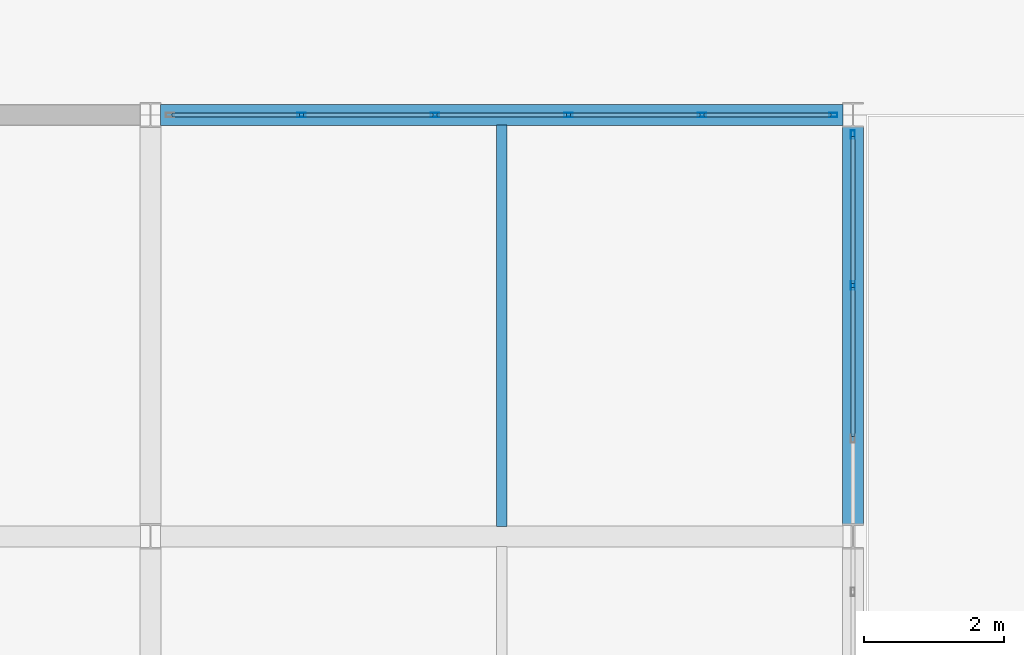
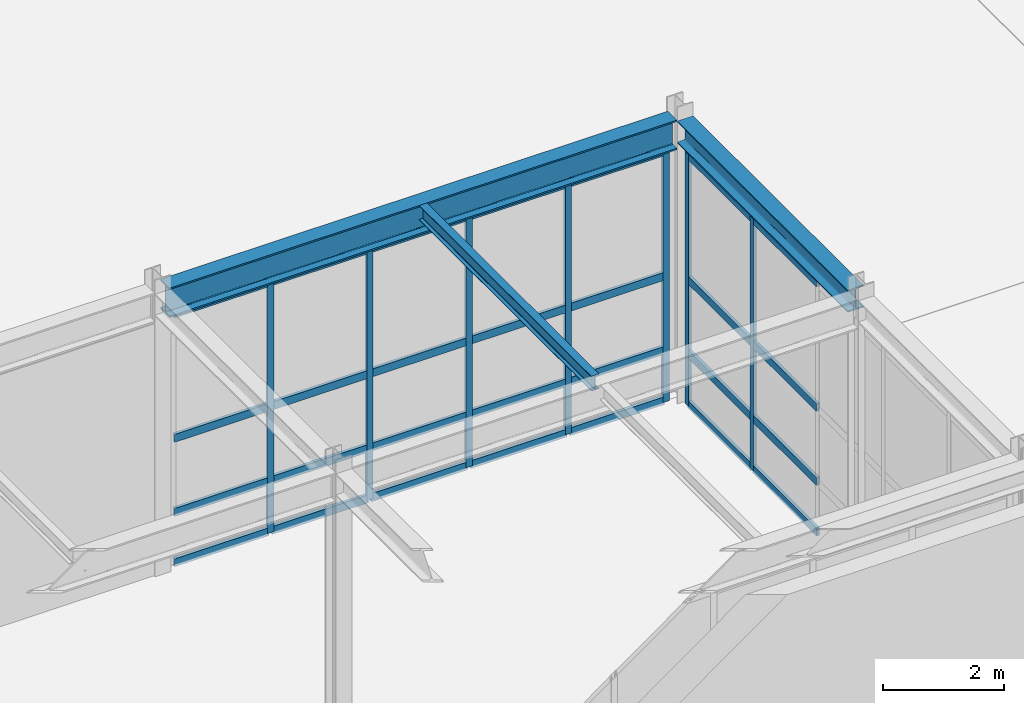
# One storey, part 100 of 146: 35 members, 3 beams, 2 elements without a shape of their own.
"""IFC4 building model written with IfcOpenShell, lengths in metres."""

from ifc_helpers import new_model, si_unit, direction, frame, origin, origin_2d, place, context, subcontext, project, spatial, hollow_rectangle, i_section, extrude, material, material_profile, profile_set, type_object, element, aggregate, save


model = new_model("IFC4")

# Units and contexts
model_context = context("Model", 3, precision=1e-05, world=origin(), true_north=direction((0.0, 1.0)))
body_context = subcontext(model_context, "Body", "Model", "MODEL_VIEW")
ifc_project = project(units=[si_unit("LENGTHUNIT", "METRE"), si_unit("AREAUNIT", "SQUARE_METRE"), si_unit("VOLUMEUNIT", "CUBIC_METRE"), si_unit("PLANEANGLEUNIT", "RADIAN"), si_unit("MASSUNIT", "GRAM", prefix="KILO")], contexts=[model_context])

# Site, building, storey
site_placement = place(None, origin())
site = spatial("IfcSite", under=ifc_project, at=site_placement, CompositionType="ELEMENT")
building_placement = place(site_placement, origin())
building = spatial("IfcBuilding", under=site, at=building_placement, Name="Kaldris Quays Convention Centre", CompositionType="ELEMENT")
storey_placement = place(building_placement, origin())
storey = spatial("IfcBuildingStorey", under=building, at=storey_placement, Name="L00", CompositionType="ELEMENT", Elevation=0.0)

# Curtain wall, members
ifc_material_1 = material(Name="Anodized aluminium AW-6060 and triple glazing", Category="aluminium")
curtain_wall_type = type_object("IfcCurtainWallType", Name="UNITISED CURTAIN WALL CW06", PredefinedType="NOTDEFINED", material=ifc_material_1)
curtain_wall_1_placement = place(storey_placement, origin())
curtain_wall_1 = element("IfcCurtainWall", 1, at=curtain_wall_1_placement, inside=storey, type_object=curtain_wall_type, Name="L00 Unitised Curtain Wall CW06 156", PredefinedType="NOTDEFINED")
ifc_material_2 = material(Name="Anodized aluminium AW-6060", Category="aluminium")
ifc_material_profile_1 = material_profile(ifc_material_2, hollow_rectangle(XDim=0.06005859375, YDim=0.1201171875, WallThickness=0.00390625, at=origin_2d()), Name="RHS 120x60x4")
ifc_profile_set_1 = profile_set([ifc_material_profile_1], Name="Anodized aluminium AW-6060")
member_type_1 = type_object("IfcMemberType", Name="CURTAIN MULLION CWM3", PredefinedType="MULLION", material=ifc_profile_set_1)
member_1_placement = place(storey_placement, frame((186.14990234375, 116.0, 0.0), z_axis=(0.0, 0.0, 1.0), x_axis=(0.0, 1.0, 0.0)))
member_1 = element("IfcMember", 2, at=member_1_placement, type_object=member_type_1, Name="CW06 mullion 2", PredefinedType="MULLION", context=body_context, shape_type="SweptSolid", body=[
    extrude(hollow_rectangle(XDim=0.06005859375, YDim=0.1201171875, WallThickness=0.00390625, at=origin_2d()), origin(), (0.0, 0.0, 1.0), 5.097900390625),
])
member_2_placement = place(storey_placement, frame((188.050048828125, 116.0, 0.0), z_axis=(0.0, 0.0, 1.0), x_axis=(0.0, 1.0, 0.0)))
member_2 = element("IfcMember", 3, at=member_2_placement, type_object=member_type_1, Name="CW06 mullion 3", PredefinedType="MULLION", context=body_context, shape_type="SweptSolid", body=[
    extrude(hollow_rectangle(XDim=0.06005859375, YDim=0.1201171875, WallThickness=0.00390625, at=origin_2d()), origin(), (0.0, 0.0, 1.0), 5.097900390625),
])
member_3_placement = place(storey_placement, frame((189.949951171875, 116.0, 0.0), z_axis=(0.0, 0.0, 1.0), x_axis=(0.0, 1.0, 0.0)))
member_3 = element("IfcMember", 4, at=member_3_placement, type_object=member_type_1, Name="CW06 mullion 4", PredefinedType="MULLION", context=body_context, shape_type="SweptSolid", body=[
    extrude(hollow_rectangle(XDim=0.06005859375, YDim=0.1201171875, WallThickness=0.00390625, at=origin_2d()), origin(), (0.0, 0.0, 1.0), 5.097900390625),
])
member_4_placement = place(storey_placement, frame((191.85009765625, 116.0, 0.0), z_axis=(0.0, 0.0, 1.0), x_axis=(0.0, 1.0, 0.0)))
member_4 = element("IfcMember", 5, at=member_4_placement, type_object=member_type_1, Name="CW06 mullion 5", PredefinedType="MULLION", context=body_context, shape_type="SweptSolid", body=[
    extrude(hollow_rectangle(XDim=0.06005859375, YDim=0.1201171875, WallThickness=0.00390625, at=origin_2d()), origin(), (0.0, 0.0, 1.0), 5.097900390625),
])
member_5_placement = place(storey_placement, frame((193.719970703125, 116.0, 0.0), z_axis=(0.0, 0.0, 1.0), x_axis=(0.0, 1.0, 0.0)))
member_5 = element("IfcMember", 6, at=member_5_placement, type_object=member_type_1, Name="CW06 mullion 6", PredefinedType="MULLION", context=body_context, shape_type="SweptSolid", body=[
    extrude(hollow_rectangle(XDim=0.06005859375, YDim=0.1201171875, WallThickness=0.00390625, at=origin_2d()), origin(), (0.0, 0.0, 1.0), 5.097900390625),
])

curtain_wall_2_placement = place(storey_placement, origin())
curtain_wall_2 = element("IfcCurtainWall", 7, at=curtain_wall_2_placement, inside=storey, type_object=curtain_wall_type, Name="L00 Unitised Curtain Wall CW06 158", PredefinedType="NOTDEFINED")
member_6_placement = place(storey_placement, frame((194.0, 113.570068359375, 0.0), z_axis=(0.0, 0.0, 1.0), x_axis=(-1.0, 0.0, 0.0)))
member_6 = element("IfcMember", 8, at=member_6_placement, type_object=member_type_1, Name="CW06 mullion 5", PredefinedType="MULLION", context=body_context, shape_type="SweptSolid", body=[
    extrude(hollow_rectangle(XDim=0.06005859375, YDim=0.1201171875, WallThickness=0.00390625, at=origin_2d()), origin(), (0.0, 0.0, 1.0), 5.097900390625),
])
member_7_placement = place(storey_placement, frame((194.0, 115.719970703125, 0.0), z_axis=(0.0, 0.0, 1.0), x_axis=(-1.0, 0.0, 0.0)))
member_7 = element("IfcMember", 9, at=member_7_placement, type_object=member_type_1, Name="CW06 mullion 6", PredefinedType="MULLION", context=body_context, shape_type="SweptSolid", body=[
    extrude(hollow_rectangle(XDim=0.06005859375, YDim=0.1201171875, WallThickness=0.00390625, at=origin_2d()), origin(), (0.0, 0.0, 1.0), 5.097900390625),
])

# Member
ifc_material_profile_2 = material_profile(ifc_material_2, hollow_rectangle(XDim=0.06005859375, YDim=0.159912109375, WallThickness=0.00390625, at=origin_2d()), Name="RHS 160x60x4")
ifc_profile_set_2 = profile_set([ifc_material_profile_2], Name="Anodized aluminium AW-6060")
member_type_2 = type_object("IfcMemberType", Name="CURTAIN TRANSOM CWT2", PredefinedType="USERDEFINED", material=ifc_profile_set_2)
member_8_placement = place(storey_placement, frame((184.31005859375, 116.0, 0.030029296875), z_axis=(1.0, 0.0, 0.0), x_axis=(0.0, 1.0, 0.0)))
member_8 = element("IfcMember", 10, at=member_8_placement, type_object=member_type_2, Name="CW06 transom 1.1", ObjectType="TRANSOM", PredefinedType="USERDEFINED", context=body_context, shape_type="SweptSolid", body=[
    extrude(hollow_rectangle(XDim=0.06005859375, YDim=0.159912109375, WallThickness=0.00390625, at=origin_2d()), origin(), (0.0, 0.0, 1.0), 1.81005859375),
])

member_9_placement = place(storey_placement, frame((184.31005859375, 116.0, 1.050048828125), z_axis=(1.0, 0.0, 0.0), x_axis=(0.0, 1.0, 0.0)))
member_9 = element("IfcMember", 11, at=member_9_placement, type_object=member_type_2, Name="CW06 transom 1.2", ObjectType="TRANSOM", PredefinedType="USERDEFINED", context=body_context, shape_type="SweptSolid", body=[
    extrude(hollow_rectangle(XDim=0.06005859375, YDim=0.159912109375, WallThickness=0.00390625, at=origin_2d()), origin(), (0.0, 0.0, 1.0), 1.81005859375),
])

member_10_placement = place(storey_placement, frame((184.31005859375, 116.0, 2.549072265625), z_axis=(1.0, 0.0, 0.0), x_axis=(0.0, 1.0, 0.0)))
member_10 = element("IfcMember", 12, at=member_10_placement, type_object=member_type_2, Name="CW06 transom 1.3", ObjectType="TRANSOM", PredefinedType="USERDEFINED", context=body_context, shape_type="SweptSolid", body=[
    extrude(hollow_rectangle(XDim=0.06005859375, YDim=0.159912109375, WallThickness=0.00390625, at=origin_2d()), origin(), (0.0, 0.0, 1.0), 1.81005859375),
])

member_11_placement = place(storey_placement, frame((184.31005859375, 116.0, 5.068115234375), z_axis=(1.0, 0.0, 0.0), x_axis=(0.0, 1.0, 0.0)))
member_11 = element("IfcMember", 13, at=member_11_placement, type_object=member_type_2, Name="CW06 transom 1.4", ObjectType="TRANSOM", PredefinedType="USERDEFINED", context=body_context, shape_type="SweptSolid", body=[
    extrude(hollow_rectangle(XDim=0.06005859375, YDim=0.159912109375, WallThickness=0.00390625, at=origin_2d()), origin(), (0.0, 0.0, 1.0), 1.81005859375),
])

member_12_placement = place(storey_placement, frame((186.179931640625, 116.0, 0.030029296875), z_axis=(1.0, 0.0, 0.0), x_axis=(0.0, 1.0, 0.0)))
member_12 = element("IfcMember", 14, at=member_12_placement, type_object=member_type_2, Name="CW06 transom 2.1", ObjectType="TRANSOM", PredefinedType="USERDEFINED", context=body_context, shape_type="SweptSolid", body=[
    extrude(hollow_rectangle(XDim=0.06005859375, YDim=0.159912109375, WallThickness=0.00390625, at=origin_2d()), origin(), (0.0, 0.0, 1.0), 1.840087890625),
])

member_13_placement = place(storey_placement, frame((186.179931640625, 116.0, 1.050048828125), z_axis=(1.0, 0.0, 0.0), x_axis=(0.0, 1.0, 0.0)))
member_13 = element("IfcMember", 15, at=member_13_placement, type_object=member_type_2, Name="CW06 transom 2.2", ObjectType="TRANSOM", PredefinedType="USERDEFINED", context=body_context, shape_type="SweptSolid", body=[
    extrude(hollow_rectangle(XDim=0.06005859375, YDim=0.159912109375, WallThickness=0.00390625, at=origin_2d()), origin(), (0.0, 0.0, 1.0), 1.840087890625),
])

member_14_placement = place(storey_placement, frame((186.179931640625, 116.0, 2.549072265625), z_axis=(1.0, 0.0, 0.0), x_axis=(0.0, 1.0, 0.0)))
member_14 = element("IfcMember", 16, at=member_14_placement, type_object=member_type_2, Name="CW06 transom 2.3", ObjectType="TRANSOM", PredefinedType="USERDEFINED", context=body_context, shape_type="SweptSolid", body=[
    extrude(hollow_rectangle(XDim=0.06005859375, YDim=0.159912109375, WallThickness=0.00390625, at=origin_2d()), origin(), (0.0, 0.0, 1.0), 1.840087890625),
])

member_15_placement = place(storey_placement, frame((186.179931640625, 116.0, 5.068115234375), z_axis=(1.0, 0.0, 0.0), x_axis=(0.0, 1.0, 0.0)))
member_15 = element("IfcMember", 17, at=member_15_placement, type_object=member_type_2, Name="CW06 transom 2.4", ObjectType="TRANSOM", PredefinedType="USERDEFINED", context=body_context, shape_type="SweptSolid", body=[
    extrude(hollow_rectangle(XDim=0.06005859375, YDim=0.159912109375, WallThickness=0.00390625, at=origin_2d()), origin(), (0.0, 0.0, 1.0), 1.840087890625),
])

member_16_placement = place(storey_placement, frame((188.080078125, 116.0, 0.030029296875), z_axis=(1.0, 0.0, 0.0), x_axis=(0.0, 1.0, 0.0)))
member_16 = element("IfcMember", 18, at=member_16_placement, type_object=member_type_2, Name="CW06 transom 3.1", ObjectType="TRANSOM", PredefinedType="USERDEFINED", context=body_context, shape_type="SweptSolid", body=[
    extrude(hollow_rectangle(XDim=0.06005859375, YDim=0.159912109375, WallThickness=0.00390625, at=origin_2d()), origin(), (0.0, 0.0, 1.0), 1.83984375),
])

member_17_placement = place(storey_placement, frame((188.080078125, 116.0, 1.050048828125), z_axis=(1.0, 0.0, 0.0), x_axis=(0.0, 1.0, 0.0)))
member_17 = element("IfcMember", 19, at=member_17_placement, type_object=member_type_2, Name="CW06 transom 3.2", ObjectType="TRANSOM", PredefinedType="USERDEFINED", context=body_context, shape_type="SweptSolid", body=[
    extrude(hollow_rectangle(XDim=0.06005859375, YDim=0.159912109375, WallThickness=0.00390625, at=origin_2d()), origin(), (0.0, 0.0, 1.0), 1.83984375),
])

member_18_placement = place(storey_placement, frame((188.080078125, 116.0, 2.549072265625), z_axis=(1.0, 0.0, 0.0), x_axis=(0.0, 1.0, 0.0)))
member_18 = element("IfcMember", 20, at=member_18_placement, type_object=member_type_2, Name="CW06 transom 3.3", ObjectType="TRANSOM", PredefinedType="USERDEFINED", context=body_context, shape_type="SweptSolid", body=[
    extrude(hollow_rectangle(XDim=0.06005859375, YDim=0.159912109375, WallThickness=0.00390625, at=origin_2d()), origin(), (0.0, 0.0, 1.0), 1.83984375),
])

member_19_placement = place(storey_placement, frame((188.080078125, 116.0, 5.068115234375), z_axis=(1.0, 0.0, 0.0), x_axis=(0.0, 1.0, 0.0)))
member_19 = element("IfcMember", 21, at=member_19_placement, type_object=member_type_2, Name="CW06 transom 3.4", ObjectType="TRANSOM", PredefinedType="USERDEFINED", context=body_context, shape_type="SweptSolid", body=[
    extrude(hollow_rectangle(XDim=0.06005859375, YDim=0.159912109375, WallThickness=0.00390625, at=origin_2d()), origin(), (0.0, 0.0, 1.0), 1.83984375),
])

member_20_placement = place(storey_placement, frame((189.97998046875, 116.0, 0.030029296875), z_axis=(1.0, 0.0, 0.0), x_axis=(0.0, 1.0, 0.0)))
member_20 = element("IfcMember", 22, at=member_20_placement, type_object=member_type_2, Name="CW06 transom 4.1", ObjectType="TRANSOM", PredefinedType="USERDEFINED", context=body_context, shape_type="SweptSolid", body=[
    extrude(hollow_rectangle(XDim=0.06005859375, YDim=0.159912109375, WallThickness=0.00390625, at=origin_2d()), origin(), (0.0, 0.0, 1.0), 1.840087890625),
])

member_21_placement = place(storey_placement, frame((189.97998046875, 116.0, 1.050048828125), z_axis=(1.0, 0.0, 0.0), x_axis=(0.0, 1.0, 0.0)))
member_21 = element("IfcMember", 23, at=member_21_placement, type_object=member_type_2, Name="CW06 transom 4.2", ObjectType="TRANSOM", PredefinedType="USERDEFINED", context=body_context, shape_type="SweptSolid", body=[
    extrude(hollow_rectangle(XDim=0.06005859375, YDim=0.159912109375, WallThickness=0.00390625, at=origin_2d()), origin(), (0.0, 0.0, 1.0), 1.840087890625),
])

member_22_placement = place(storey_placement, frame((189.97998046875, 116.0, 2.549072265625), z_axis=(1.0, 0.0, 0.0), x_axis=(0.0, 1.0, 0.0)))
member_22 = element("IfcMember", 24, at=member_22_placement, type_object=member_type_2, Name="CW06 transom 4.3", ObjectType="TRANSOM", PredefinedType="USERDEFINED", context=body_context, shape_type="SweptSolid", body=[
    extrude(hollow_rectangle(XDim=0.06005859375, YDim=0.159912109375, WallThickness=0.00390625, at=origin_2d()), origin(), (0.0, 0.0, 1.0), 1.840087890625),
])

member_23_placement = place(storey_placement, frame((189.97998046875, 116.0, 5.068115234375), z_axis=(1.0, 0.0, 0.0), x_axis=(0.0, 1.0, 0.0)))
member_23 = element("IfcMember", 25, at=member_23_placement, type_object=member_type_2, Name="CW06 transom 4.4", ObjectType="TRANSOM", PredefinedType="USERDEFINED", context=body_context, shape_type="SweptSolid", body=[
    extrude(hollow_rectangle(XDim=0.06005859375, YDim=0.159912109375, WallThickness=0.00390625, at=origin_2d()), origin(), (0.0, 0.0, 1.0), 1.840087890625),
])

member_24_placement = place(storey_placement, frame((191.8798828125, 116.0, 0.030029296875), z_axis=(1.0, 0.0, 0.0), x_axis=(0.0, 1.0, 0.0)))
member_24 = element("IfcMember", 26, at=member_24_placement, type_object=member_type_2, Name="CW06 transom 5.1", ObjectType="TRANSOM", PredefinedType="USERDEFINED", context=body_context, shape_type="SweptSolid", body=[
    extrude(hollow_rectangle(XDim=0.06005859375, YDim=0.159912109375, WallThickness=0.00390625, at=origin_2d()), origin(), (0.0, 0.0, 1.0), 1.81005859375),
])

member_25_placement = place(storey_placement, frame((191.8798828125, 116.0, 1.050048828125), z_axis=(1.0, 0.0, 0.0), x_axis=(0.0, 1.0, 0.0)))
member_25 = element("IfcMember", 27, at=member_25_placement, type_object=member_type_2, Name="CW06 transom 5.2", ObjectType="TRANSOM", PredefinedType="USERDEFINED", context=body_context, shape_type="SweptSolid", body=[
    extrude(hollow_rectangle(XDim=0.06005859375, YDim=0.159912109375, WallThickness=0.00390625, at=origin_2d()), origin(), (0.0, 0.0, 1.0), 1.81005859375),
])

member_26_placement = place(storey_placement, frame((191.8798828125, 116.0, 2.549072265625), z_axis=(1.0, 0.0, 0.0), x_axis=(0.0, 1.0, 0.0)))
member_26 = element("IfcMember", 28, at=member_26_placement, type_object=member_type_2, Name="CW06 transom 5.3", ObjectType="TRANSOM", PredefinedType="USERDEFINED", context=body_context, shape_type="SweptSolid", body=[
    extrude(hollow_rectangle(XDim=0.06005859375, YDim=0.159912109375, WallThickness=0.00390625, at=origin_2d()), origin(), (0.0, 0.0, 1.0), 1.81005859375),
])

member_27_placement = place(storey_placement, frame((191.8798828125, 116.0, 5.068115234375), z_axis=(1.0, 0.0, 0.0), x_axis=(0.0, 1.0, 0.0)))
member_27 = element("IfcMember", 29, at=member_27_placement, type_object=member_type_2, Name="CW06 transom 5.4", ObjectType="TRANSOM", PredefinedType="USERDEFINED", context=body_context, shape_type="SweptSolid", body=[
    extrude(hollow_rectangle(XDim=0.06005859375, YDim=0.159912109375, WallThickness=0.00390625, at=origin_2d()), origin(), (0.0, 0.0, 1.0), 1.81005859375),
])

aggregate(curtain_wall_1, [member_1, member_2, member_3, member_4, member_5, member_8, member_9, member_10, member_11, member_12, member_13, member_14, member_15, member_16, member_17, member_18, member_19, member_20, member_21, member_22, member_23, member_24, member_25, member_26, member_27])

member_28_placement = place(storey_placement, frame((194.0, 111.419921875, 0.030029296875), z_axis=(0.0, 1.0, 0.0), x_axis=(-1.0, 0.0, 0.0)))
member_28 = element("IfcMember", 30, at=member_28_placement, type_object=member_type_2, Name="CW06 transom 4.1", ObjectType="TRANSOM", PredefinedType="USERDEFINED", context=body_context, shape_type="SweptSolid", body=[
    extrude(hollow_rectangle(XDim=0.06005859375, YDim=0.159912109375, WallThickness=0.00390625, at=origin_2d()), origin(), (0.0, 0.0, 1.0), 2.1201171875),
])

member_29_placement = place(storey_placement, frame((194.0, 111.419921875, 1.050048828125), z_axis=(0.0, 1.0, 0.0), x_axis=(-1.0, 0.0, 0.0)))
member_29 = element("IfcMember", 31, at=member_29_placement, type_object=member_type_2, Name="CW06 transom 4.2", ObjectType="TRANSOM", PredefinedType="USERDEFINED", context=body_context, shape_type="SweptSolid", body=[
    extrude(hollow_rectangle(XDim=0.06005859375, YDim=0.159912109375, WallThickness=0.00390625, at=origin_2d()), origin(), (0.0, 0.0, 1.0), 2.1201171875),
])

member_30_placement = place(storey_placement, frame((194.0, 111.419921875, 2.549072265625), z_axis=(0.0, 1.0, 0.0), x_axis=(-1.0, 0.0, 0.0)))
member_30 = element("IfcMember", 32, at=member_30_placement, type_object=member_type_2, Name="CW06 transom 4.3", ObjectType="TRANSOM", PredefinedType="USERDEFINED", context=body_context, shape_type="SweptSolid", body=[
    extrude(hollow_rectangle(XDim=0.06005859375, YDim=0.159912109375, WallThickness=0.00390625, at=origin_2d()), origin(), (0.0, 0.0, 1.0), 2.1201171875),
])

member_31_placement = place(storey_placement, frame((194.0, 111.419921875, 5.068115234375), z_axis=(0.0, 1.0, 0.0), x_axis=(-1.0, 0.0, 0.0)))
member_31 = element("IfcMember", 33, at=member_31_placement, type_object=member_type_2, Name="CW06 transom 4.4", ObjectType="TRANSOM", PredefinedType="USERDEFINED", context=body_context, shape_type="SweptSolid", body=[
    extrude(hollow_rectangle(XDim=0.06005859375, YDim=0.159912109375, WallThickness=0.00390625, at=origin_2d()), origin(), (0.0, 0.0, 1.0), 2.1201171875),
])

member_32_placement = place(storey_placement, frame((194.0, 113.60009765625, 0.030029296875), z_axis=(0.0, 1.0, 0.0), x_axis=(-1.0, 0.0, 0.0)))
member_32 = element("IfcMember", 34, at=member_32_placement, type_object=member_type_2, Name="CW06 transom 5.1", ObjectType="TRANSOM", PredefinedType="USERDEFINED", context=body_context, shape_type="SweptSolid", body=[
    extrude(hollow_rectangle(XDim=0.06005859375, YDim=0.159912109375, WallThickness=0.00390625, at=origin_2d()), origin(), (0.0, 0.0, 1.0), 2.08984375),
])

member_33_placement = place(storey_placement, frame((194.0, 113.60009765625, 1.050048828125), z_axis=(0.0, 1.0, 0.0), x_axis=(-1.0, 0.0, 0.0)))
member_33 = element("IfcMember", 35, at=member_33_placement, type_object=member_type_2, Name="CW06 transom 5.2", ObjectType="TRANSOM", PredefinedType="USERDEFINED", context=body_context, shape_type="SweptSolid", body=[
    extrude(hollow_rectangle(XDim=0.06005859375, YDim=0.159912109375, WallThickness=0.00390625, at=origin_2d()), origin(), (0.0, 0.0, 1.0), 2.08984375),
])

member_34_placement = place(storey_placement, frame((194.0, 113.60009765625, 2.549072265625), z_axis=(0.0, 1.0, 0.0), x_axis=(-1.0, 0.0, 0.0)))
member_34 = element("IfcMember", 36, at=member_34_placement, type_object=member_type_2, Name="CW06 transom 5.3", ObjectType="TRANSOM", PredefinedType="USERDEFINED", context=body_context, shape_type="SweptSolid", body=[
    extrude(hollow_rectangle(XDim=0.06005859375, YDim=0.159912109375, WallThickness=0.00390625, at=origin_2d()), origin(), (0.0, 0.0, 1.0), 2.08984375),
])

member_35_placement = place(storey_placement, frame((194.0, 113.60009765625, 5.068115234375), z_axis=(0.0, 1.0, 0.0), x_axis=(-1.0, 0.0, 0.0)))
member_35 = element("IfcMember", 37, at=member_35_placement, type_object=member_type_2, Name="CW06 transom 5.4", ObjectType="TRANSOM", PredefinedType="USERDEFINED", context=body_context, shape_type="SweptSolid", body=[
    extrude(hollow_rectangle(XDim=0.06005859375, YDim=0.159912109375, WallThickness=0.00390625, at=origin_2d()), origin(), (0.0, 0.0, 1.0), 2.08984375),
])

aggregate(curtain_wall_2, [member_6, member_7, member_28, member_29, member_30, member_31, member_32, member_33, member_34, member_35])

# Beams
ifc_material_3 = material(Name="Steel S355J2", Category="steel")
ifc_material_profile_3 = material_profile(ifc_material_3, i_section(OverallWidth=0.300048828125, OverallDepth=0.60009765625, WebThickness=0.015380859375, FlangeThickness=0.030029296875, FilletRadius=0.027099609375, at=origin_2d()), Name="HEB 600")
ifc_profile_set_3 = profile_set([ifc_material_profile_3], Name="Steel S355J2")
beam_type_1 = type_object("IfcBeamType", Name="STRUCTURAL BEAM BM05", PredefinedType="BEAM", material=ifc_profile_set_3)
beam_1_placement = place(storey_placement, frame((184.14404296875, 116.0, 5.423095703125), z_axis=(1.0, 0.0, 0.0), x_axis=(0.0, 1.0, 0.0)))
element("IfcBeam", 38, at=beam_1_placement, inside=storey, type_object=beam_type_1, Name="L00 Girder BM05 55", PredefinedType="BEAM", context=body_context, shape_type="SweptSolid", body=[
    extrude(i_section(OverallWidth=0.300048828125, OverallDepth=0.60009765625, WebThickness=0.015380859375, FlangeThickness=0.030029296875, FilletRadius=0.027099609375, at=origin_2d()), origin(), (0.0, 0.0, 1.0), 9.7119140625),
])
ifc_material_profile_4 = material_profile(ifc_material_3, i_section(OverallWidth=0.300048828125, OverallDepth=0.449951171875, WebThickness=0.013916015625, FlangeThickness=0.02587890625, FilletRadius=0.027099609375, at=origin_2d()), Name="HEB 450")
ifc_profile_set_4 = profile_set([ifc_material_profile_4], Name="Steel S355J2")
beam_type_2 = type_object("IfcBeamType", Name="STRUCTURAL BEAM BM07", PredefinedType="BEAM", material=ifc_profile_set_4)
beam_2_placement = place(storey_placement, frame((194.0, 110.174072265625, 5.498046875), z_axis=(0.0, 1.0, 0.0), x_axis=(-1.0, 0.0, 0.0)))
element("IfcBeam", 39, at=beam_2_placement, inside=storey, type_object=beam_type_2, Name="L00 Girder BM07 109", PredefinedType="BEAM", context=body_context, shape_type="SweptSolid", body=[
    extrude(i_section(OverallWidth=0.300048828125, OverallDepth=0.449951171875, WebThickness=0.013916015625, FlangeThickness=0.02587890625, FilletRadius=0.027099609375, at=origin_2d()), origin(), (0.0, 0.0, 1.0), 5.65185546875),
])
ifc_material_profile_5 = material_profile(ifc_material_3, i_section(OverallWidth=0.14990234375, OverallDepth=0.300048828125, WebThickness=0.007080078125, FlangeThickness=0.0107421875, FilletRadius=0.014892578125, at=origin_2d()), Name="IPE 300")
ifc_profile_set_5 = profile_set([ifc_material_profile_5], Name="Steel S355J2")
beam_type_3 = type_object("IfcBeamType", Name="STRUCTURAL BEAM JT04", PredefinedType="JOIST", material=ifc_profile_set_5)
beam_3_placement = place(storey_placement, frame((189.0, 110.14404296875, 5.572998046875), z_axis=(0.0, 1.0, 0.0), x_axis=(-1.0, 0.0, 0.0)))
element("IfcBeam", 40, at=beam_3_placement, inside=storey, type_object=beam_type_3, Name="L00 Secondary Joist JT04 35", PredefinedType="JOIST", context=body_context, shape_type="SweptSolid", body=[
    extrude(i_section(OverallWidth=0.14990234375, OverallDepth=0.300048828125, WebThickness=0.007080078125, FlangeThickness=0.0107421875, FilletRadius=0.014892578125, at=origin_2d()), origin(), (0.0, 0.0, 1.0), 5.7119140625),
])

save(model, "model.ifc")
